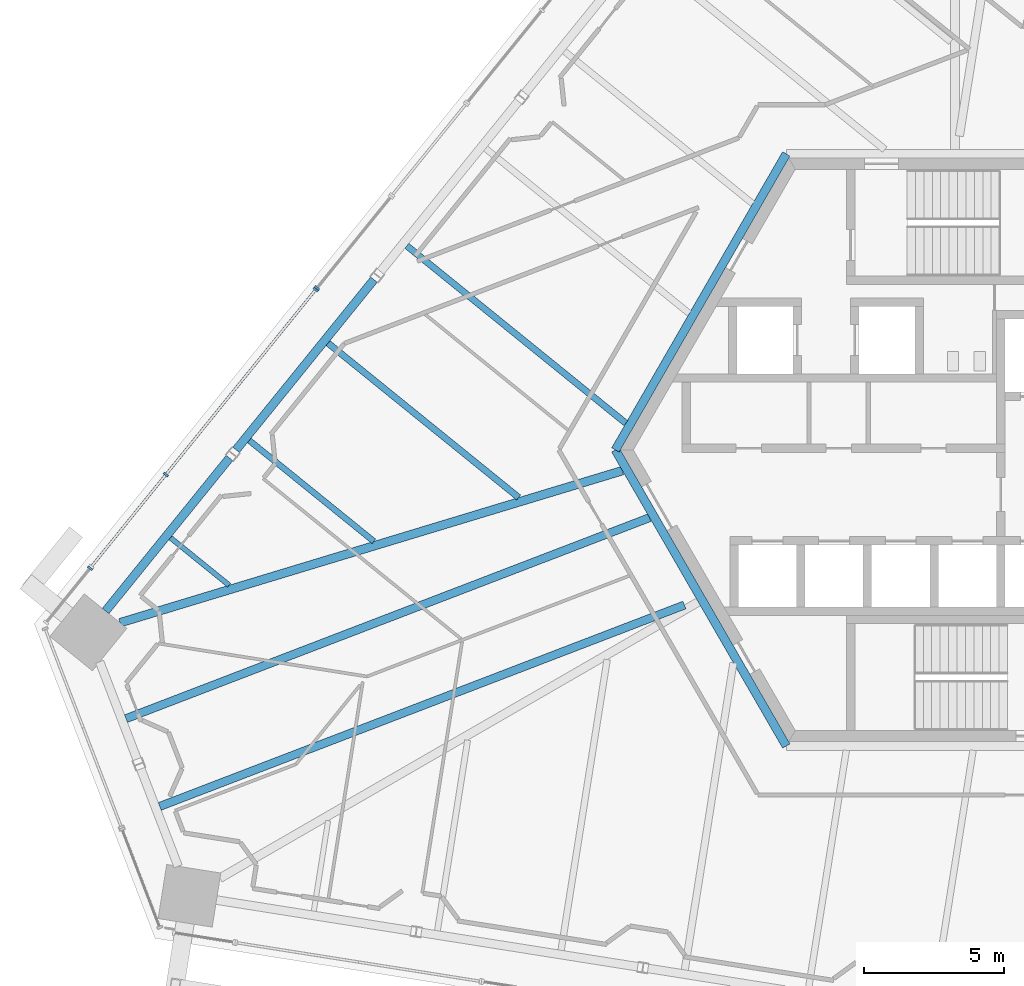
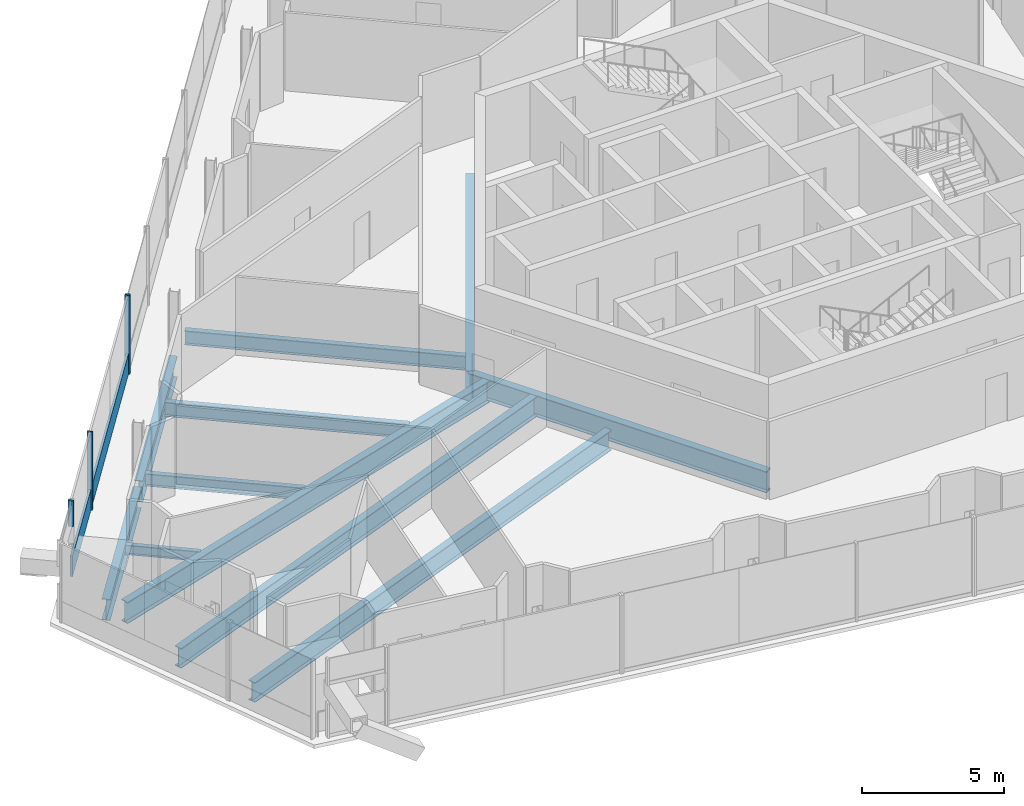
# One storey, part 5 of 23: 11 beams, 6 members, 3 elements without a shape of their own.
"""IFC4 building model written with IfcOpenShell, lengths in metres."""

from ifc_helpers import new_model, si_unit, direction, frame, origin, origin_2d, place, context, subcontext, project, spatial, rectangle, i_section, extrude, source, transform, mapped, material, material_profile, profile_set, type_object, element, aggregate, save


model = new_model("IFC4")

# Units and contexts
model_context = context("Model", 3, precision=1e-05, world=origin(), true_north=direction((0.0, 1.0)))
body_context = subcontext(model_context, "Body", "Model", "MODEL_VIEW")
ifc_project = project(units=[si_unit("LENGTHUNIT", "METRE"), si_unit("AREAUNIT", "SQUARE_METRE"), si_unit("VOLUMEUNIT", "CUBIC_METRE"), si_unit("PLANEANGLEUNIT", "RADIAN"), si_unit("MASSUNIT", "GRAM", prefix="KILO")], contexts=[model_context])

# Site, building, storey
site_placement = place(None, origin())
site = spatial("IfcSite", under=ifc_project, at=site_placement, CompositionType="ELEMENT")
building_placement = place(site_placement, origin())
building = spatial("IfcBuilding", under=site, at=building_placement, Name="Triune Harvest Tower", CompositionType="ELEMENT")
storey_placement = place(building_placement, frame((0.0, 0.0, 171.300048828125)))
storey = spatial("IfcBuildingStorey", under=building, at=storey_placement, Name="L44", CompositionType="ELEMENT", Elevation=171.300048828125)

# Beams
ifc_material_1 = material(Name="Steel ASTM A992 Gr 50", Category="steel")
ifc_material_profile_1 = material_profile(ifc_material_1, i_section(OverallWidth=0.3046875, OverallDepth=0.914306640625, WebThickness=0.0166015625, FlangeThickness=0.02587890625, at=origin_2d()), Name="W36x160")
ifc_profile_set_1 = profile_set([ifc_material_profile_1], Name="Steel ASTM A992 Gr 50")
beam_type_1 = type_object("IfcBeamType", Name="CG-1 Core ring girder W36x160", PredefinedType="BEAM", material=ifc_profile_set_1)
shared_shape_1 = source(origin(), body_context, "Body", "SweptSolid", [
    extrude(i_section(OverallWidth=0.3046875, OverallDepth=0.914306640625, WebThickness=0.0166015625, FlangeThickness=0.02587890625, at=origin_2d()), origin(), (0.0, 0.0, 1.0), 12.176025390625),
])
for number, where, z_axis, x_axis, name in (
    (1, (-6.087890625, 10.544677734375, -0.6171875), (-0.5000099932, -0.866019634131, 0.0), (0.866019634131, -0.5000099932, 0.0), "beam/L44/CG3"),
    (2, (-12.176025390625, 0.0, -0.6171875), (0.5000099932, -0.866019634131, 0.0), (0.866019634131, 0.5000099932, 0.0), "beam/L44/CG4"),
):
    element("IfcBeam", number, at=place(storey_placement, frame(where, z_axis=z_axis, x_axis=x_axis)), inside=storey, type_object=beam_type_1, Name=name, PredefinedType="BEAM", context=body_context, shape_type="MappedRepresentation", body=[
        mapped(shared_shape_1, transform((0.0, 0.0, 0.0), scale=1.0)),
    ])
ifc_material_2 = material(Name="Steel ASTM A992 Gr 50", Category="steel")
ifc_material_profile_2 = material_profile(ifc_material_2, i_section(OverallWidth=0.3046875, OverallDepth=0.914306640625, WebThickness=0.0166015625, FlangeThickness=0.02587890625, at=origin_2d()), Name="W36x160")
ifc_profile_set_2 = profile_set([ifc_material_profile_2], Name="Steel ASTM A992 Gr 50")
beam_type_2 = type_object("IfcBeamType", Name="SB-1 Spandrel beam W36x160", PredefinedType="SPANDREL", material=ifc_profile_set_2)
shared_shape_2 = source(origin(), body_context, "Body", "SweptSolid", [
    extrude(i_section(OverallWidth=0.3046875, OverallDepth=0.914306640625, WebThickness=0.0166015625, FlangeThickness=0.02587890625, at=origin_2d()), origin(), (0.0, 0.0, 1.0), 7.013427734375),
])
beam_1_placement = place(storey_placement, frame((-25.920166015625, -0.2890625, -0.6171875), z_axis=(-0.629311381255, -0.777153257358, 0.0), x_axis=(0.777153257358, -0.629311381255, 0.0)))
element("IfcBeam", 3, at=beam_1_placement, inside=storey, type_object=beam_type_2, Name="beam/L44/SB14", PredefinedType="SPANDREL", context=body_context, shape_type="MappedRepresentation", body=[
    mapped(shared_shape_2, transform((0.0, 0.0, 0.0), scale=1.0)),
])
shared_shape_3 = source(origin(), body_context, "Body", "SweptSolid", [
    extrude(i_section(OverallWidth=0.3046875, OverallDepth=0.914306640625, WebThickness=0.0166015625, FlangeThickness=0.02587890625, at=origin_2d()), origin(), (0.0, 0.0, 1.0), 7.8017578125),
])
beam_2_placement = place(storey_placement, frame((-20.775390625, 6.064208984375, -0.6171875), z_axis=(-0.629335951387, -0.777133360686, 0.0), x_axis=(0.777133360686, -0.629335951387, 0.0)))
element("IfcBeam", 4, at=beam_2_placement, inside=storey, type_object=beam_type_2, Name="beam/L44/SB13", PredefinedType="SPANDREL", context=body_context, shape_type="MappedRepresentation", body=[
    mapped(shared_shape_3, transform((0.0, 0.0, 0.0), scale=1.0)),
])
ifc_material_3 = material(Name="Steel ASTM A992 Gr 50", Category="steel")
ifc_material_profile_3 = material_profile(ifc_material_3, i_section(OverallWidth=0.307373046875, OverallDepth=0.922119140625, WebThickness=0.018310546875, FlangeThickness=0.030029296875, at=origin_2d()), Name="W36x182")
ifc_profile_set_3 = profile_set([ifc_material_profile_3], Name="Steel ASTM A992 Gr 50")
beam_type_3 = type_object("IfcBeamType", Name="HG-2 Hip girder W36x182", PredefinedType="BEAM", material=ifc_profile_set_3)
shared_shape_4 = source(origin(), body_context, "Body", "SweptSolid", [
    extrude(i_section(OverallWidth=0.307373046875, OverallDepth=0.922119140625, WebThickness=0.018310546875, FlangeThickness=0.030029296875, at=origin_2d()), origin(), (0.0, 0.0, 1.0), 18.69580078125),
])
beam_3_placement = place(storey_placement, frame((-29.819580078125, -6.15576171875, -0.62109375), z_axis=(0.957096860763, 0.289768181686, 0.0), x_axis=(-0.289768181686, 0.957096860763, 0.0)))
element("IfcBeam", 5, at=beam_3_placement, inside=storey, type_object=beam_type_3, Name="beam/L44/HG5", PredefinedType="BEAM", context=body_context, shape_type="MappedRepresentation", body=[
    mapped(shared_shape_4, transform((0.0, 0.0, 0.0), scale=1.0)),
])
ifc_material_4 = material(Name="Steel ASTM A992 Gr 50", Category="steel")
ifc_material_profile_4 = material_profile(ifc_material_4, i_section(OverallWidth=0.22900390625, OverallDepth=0.612060546875, WebThickness=0.011962890625, FlangeThickness=0.01953125, at=origin_2d()), Name="W24x84")
ifc_profile_set_4 = profile_set([ifc_material_profile_4], Name="Steel ASTM A992 Gr 50")
beam_type_4 = type_object("IfcBeamType", Name="JT-3 Floor joist W24x84", PredefinedType="JOIST", material=ifc_profile_set_4)
shared_shape_5 = source(origin(), body_context, "Body", "SweptSolid", [
    extrude(i_section(OverallWidth=0.22900390625, OverallDepth=0.612060546875, WebThickness=0.011962890625, FlangeThickness=0.01953125, at=origin_2d()), origin(), (0.0, 0.0, 1.0), 8.738037109375),
])
beam_4_placement = place(storey_placement, frame((-22.410400390625, 3.802978515625, -0.466064453125), z_axis=(0.777147913906, -0.629317979968, 0.0), x_axis=(0.629317979968, 0.777147913906, 0.0)))
element("IfcBeam", 6, at=beam_4_placement, inside=storey, type_object=beam_type_4, Name="beam/L44/JT20", PredefinedType="JOIST", context=body_context, shape_type="MappedRepresentation", body=[
    mapped(shared_shape_5, transform((0.0, 0.0, 0.0), scale=1.0)),
])
ifc_material_5 = material(Name="Steel ASTM A992 Gr 50", Category="steel")
ifc_material_profile_5 = material_profile(ifc_material_5, i_section(OverallWidth=0.180908203125, OverallDepth=0.41650390625, WebThickness=0.010986328125, FlangeThickness=0.01806640625, at=origin_2d()), Name="W16x57")
ifc_profile_set_5 = profile_set([ifc_material_profile_5], Name="Steel ASTM A992 Gr 50")
beam_type_5 = type_object("IfcBeamType", Name="JT-1 Floor joist W16x57", PredefinedType="JOIST", material=ifc_profile_set_5)
shared_shape_6 = source(origin(), body_context, "Body", "SweptSolid", [
    extrude(i_section(OverallWidth=0.180908203125, OverallDepth=0.41650390625, WebThickness=0.010986328125, FlangeThickness=0.01806640625, at=origin_2d()), origin(), (0.0, 0.0, 1.0), 2.687255859375),
])
beam_5_placement = place(storey_placement, frame((-28.022705078125, -3.127685546875, -0.368408203125), z_axis=(0.777141190223, -0.629326282987, 0.0), x_axis=(0.629326282987, 0.777141190223, 0.0)))
element("IfcBeam", 7, at=beam_5_placement, inside=storey, type_object=beam_type_5, Name="beam/L44/JT22", PredefinedType="JOIST", context=body_context, shape_type="MappedRepresentation", body=[
    mapped(shared_shape_6, transform((0.0, 0.0, 0.0), scale=1.0)),
])
ifc_material_6 = material(Name="Steel ASTM A992 Gr 50", Category="steel")
ifc_material_profile_6 = material_profile(ifc_material_6, i_section(OverallWidth=0.2919921875, OverallDepth=0.8583984375, WebThickness=0.01708984375, FlangeThickness=0.031005859375, at=origin_2d()), Name="W33x169")
ifc_profile_set_6 = profile_set([ifc_material_profile_6], Name="Steel ASTM A992 Gr 50")
beam_type_6 = type_object("IfcBeamType", Name="JT-7 Floor joist W33x169", PredefinedType="JOIST", material=ifc_profile_set_6)
shared_shape_7 = source(origin(), body_context, "Body", "SweptSolid", [
    extrude(i_section(OverallWidth=0.2919921875, OverallDepth=0.8583984375, WebThickness=0.01708984375, FlangeThickness=0.031005859375, at=origin_2d()), origin(), (0.0, 0.0, 1.0), 19.97216796875),
])
beam_6_placement = place(storey_placement, frame((-29.6044921875, -9.570068359375, -0.58935546875), z_axis=(0.933578234713, 0.358373659287, 0.0), x_axis=(-0.358373659287, 0.933578234713, 0.0)))
element("IfcBeam", 8, at=beam_6_placement, inside=storey, type_object=beam_type_6, Name="beam/L44/JT23", PredefinedType="JOIST", context=body_context, shape_type="MappedRepresentation", body=[
    mapped(shared_shape_7, transform((0.0, 0.0, 0.0), scale=1.0)),
])
shared_shape_8 = source(origin(), body_context, "Body", "SweptSolid", [
    extrude(i_section(OverallWidth=0.22900390625, OverallDepth=0.612060546875, WebThickness=0.011962890625, FlangeThickness=0.01953125, at=origin_2d()), origin(), (0.0, 0.0, 1.0), 10.0380859375),
])
beam_7_placement = place(storey_placement, frame((-19.60400390625, 7.268310546875, -0.466064453125), z_axis=(0.777146308943, -0.629319961941, 0.0), x_axis=(0.629319961941, 0.777146308943, 0.0)))
element("IfcBeam", 9, at=beam_7_placement, inside=storey, type_object=beam_type_4, Name="beam/L44/JT19", PredefinedType="JOIST", context=body_context, shape_type="MappedRepresentation", body=[
    mapped(shared_shape_8, transform((0.0, 0.0, 0.0), scale=1.0)),
])
ifc_material_7 = material(Name="Steel ASTM A992 Gr 50", Category="steel")
ifc_material_profile_7 = material_profile(ifc_material_7, i_section(OverallWidth=0.2099609375, OverallDepth=0.535888671875, WebThickness=0.010986328125, FlangeThickness=0.017333984375, at=origin_2d()), Name="W21x68")
ifc_profile_set_7 = profile_set([ifc_material_profile_7], Name="Steel ASTM A992 Gr 50")
beam_type_7 = type_object("IfcBeamType", Name="JT-2 Floor joist W21x68", PredefinedType="JOIST", material=ifc_profile_set_7)
shared_shape_9 = source(origin(), body_context, "Body", "SweptSolid", [
    extrude(i_section(OverallWidth=0.2099609375, OverallDepth=0.535888671875, WebThickness=0.010986328125, FlangeThickness=0.017333984375, at=origin_2d()), origin(), (0.0, 0.0, 1.0), 5.71240234375),
])
beam_8_placement = place(storey_placement, frame((-25.216552734375, 0.337646484375, -0.427978515625), z_axis=(0.777148320449, -0.629317477926, 0.0), x_axis=(0.629317477926, 0.777148320449, 0.0)))
element("IfcBeam", 10, at=beam_8_placement, inside=storey, type_object=beam_type_7, Name="beam/L44/JT21", PredefinedType="JOIST", context=body_context, shape_type="MappedRepresentation", body=[
    mapped(shared_shape_9, transform((0.0, 0.0, 0.0), scale=1.0)),
])
shared_shape_10 = source(origin(), body_context, "Body", "SweptSolid", [
    extrude(i_section(OverallWidth=0.2919921875, OverallDepth=0.8583984375, WebThickness=0.01708984375, FlangeThickness=0.031005859375, at=origin_2d()), origin(), (0.0, 0.0, 1.0), 20.01611328125),
])
beam_9_placement = place(storey_placement, frame((-28.404052734375, -12.697509765625, -0.58935546875), z_axis=(0.933581802132, 0.358364365875, 0.0), x_axis=(-0.358364365875, 0.933581802132, 0.0)))
element("IfcBeam", 11, at=beam_9_placement, inside=storey, type_object=beam_type_6, Name="beam/L44/JT24", PredefinedType="JOIST", context=body_context, shape_type="MappedRepresentation", body=[
    mapped(shared_shape_10, transform((0.0, 0.0, 0.0), scale=1.0)),
])

# Curtain wall, member
ifc_material_8 = material(Name="Aluminium bronze anodised", Category="aluminium")
curtain_wall_type_1 = type_object("IfcCurtainWallType", Name="CW-1 Tower stick curtain wall", PredefinedType="NOTDEFINED", material=ifc_material_8)
curtain_wall_1_placement = place(storey_placement, origin())
curtain_wall_1 = element("IfcCurtainWall", 12, at=curtain_wall_1_placement, inside=storey, type_object=curtain_wall_type_1, Name="CW-1 B4-F3 L44 run 401")
ifc_material_9 = material(Name="Aluminium bronze anodised", Category="aluminium")
ifc_material_profile_8 = material_profile(ifc_material_9, rectangle(XDim=0.199951171875, YDim=0.074951171875, at=origin_2d()), Name="MU-1 mullion 75 x 200")
ifc_profile_set_8 = profile_set([ifc_material_profile_8], Name="Aluminium bronze anodised")
member_type_1 = type_object("IfcMemberType", Name="MU-1 mullion 75 x 200", PredefinedType="MULLION", material=ifc_profile_set_8)
shared_shape_11 = source(origin(), body_context, "Body", "SweptSolid", [
    extrude(rectangle(XDim=0.199951171875, YDim=0.074951171875, at=origin_2d()), origin(), (0.0, 0.0, 1.0), 1.114990234375),
])
member_1_placement = place(storey_placement, frame((-30.88720703125, -4.216064453125, 2.260009765625), z_axis=(0.0, 0.0, 1.0), x_axis=(0.777142972549, -0.629324082026, 0.0)))
member_1 = element("IfcMember", 13, at=member_1_placement, type_object=member_type_1, Name="CW-1 mullion B4-F3 401.1", PredefinedType="MULLION", context=body_context, shape_type="MappedRepresentation", body=[
    mapped(shared_shape_11, transform((0.0, 0.0, 0.0), scale=1.0)),
])
aggregate(curtain_wall_1, [member_1])

curtain_wall_2_placement = place(storey_placement, origin())
curtain_wall_2 = element("IfcCurtainWall", 14, at=curtain_wall_2_placement, inside=storey, type_object=curtain_wall_type_1, Name="CW-1 B4-F3 L44 run 3201")
shared_shape_12 = source(origin(), body_context, "Body", "SweptSolid", [
    extrude(rectangle(XDim=0.199951171875, YDim=0.074951171875, at=origin_2d()), origin(), (0.0, 0.0, 1.0), 3.375),
])
member_2_placement = place(storey_placement, frame((-22.8046875, 5.76513671875, 0.0), z_axis=(0.0, 0.0, 1.0), x_axis=(0.77713925847, -0.629328668459, 0.0)))
member_2 = element("IfcMember", 15, at=member_2_placement, type_object=member_type_1, Name="CW-1 mullion B4-F3 3201.2", PredefinedType="MULLION", context=body_context, shape_type="MappedRepresentation", body=[
    mapped(shared_shape_12, transform((0.0, 0.0, 0.0), scale=1.0)),
])
aggregate(curtain_wall_2, [member_2])

# Curtain wall, members
ifc_material_10 = material(Name="Aluminium bronze anodised", Category="aluminium")
curtain_wall_type_2 = type_object("IfcCurtainWallType", Name="CW-7 Tower stick curtain wall with insulated spandrel infill", PredefinedType="NOTDEFINED", material=ifc_material_10)
curtain_wall_3_placement = place(storey_placement, origin())
curtain_wall_3 = element("IfcCurtainWall", 16, at=curtain_wall_3_placement, inside=storey, type_object=curtain_wall_type_2, Name="CW-7 B4-F3 L44 run 4201")
member_3_placement = place(storey_placement, frame((-22.85205078125, 5.706787109375, 0.0), z_axis=(0.0, 0.0, 1.0), x_axis=(0.777146919225, -0.629319208303, 0.0)))
member_3 = element("IfcMember", 17, at=member_3_placement, type_object=member_type_1, Name="CW-7 mullion B4-F3 4201.1", PredefinedType="MULLION", context=body_context, shape_type="MappedRepresentation", body=[
    mapped(shared_shape_12, transform((0.0, 0.0, 0.0), scale=1.0)),
])
member_4_placement = place(storey_placement, frame((-28.185302734375, -0.87939453125, 0.0), z_axis=(0.0, 0.0, 1.0), x_axis=(0.777146919225, -0.629319208303, 0.0)))
member_4 = element("IfcMember", 18, at=member_4_placement, type_object=member_type_1, Name="CW-7 mullion B4-F3 4201.3", PredefinedType="MULLION", context=body_context, shape_type="MappedRepresentation", body=[
    mapped(shared_shape_12, transform((0.0, 0.0, 0.0), scale=1.0)),
])
ifc_material_11 = material(Name="Aluminium bronze anodised", Category="aluminium")
ifc_material_profile_9 = material_profile(ifc_material_11, rectangle(XDim=0.090087890625, YDim=0.89990234375, at=origin_2d()), Name="TR-1 transom 90 x 900")
ifc_profile_set_9 = profile_set([ifc_material_profile_9], Name="Aluminium bronze anodised")
member_type_2 = type_object("IfcMemberType", Name="TR-1 transom 90 x 900", PredefinedType="USERDEFINED", material=ifc_profile_set_9)
shared_shape_13 = source(origin(), body_context, "Body", "SweptSolid", [
    extrude(rectangle(XDim=0.090087890625, YDim=0.89990234375, at=origin_2d()), origin(), (0.0, 0.0, 1.0), 8.399658203125),
])
member_5_placement = place(storey_placement, frame((-22.87548828125, 5.677734375, 0.449951171875), z_axis=(-0.629320294861, -0.777146039349, 0.0), x_axis=(0.777146039349, -0.629320294861, 0.0)))
member_5 = element("IfcMember", 19, at=member_5_placement, type_object=member_type_2, Name="CW-7 transom B4-F3 4201.1", ObjectType="TRANSOM", PredefinedType="USERDEFINED", context=body_context, shape_type="MappedRepresentation", body=[
    mapped(shared_shape_13, transform((0.0, 0.0, 0.0), scale=1.0)),
])
shared_shape_14 = source(origin(), body_context, "Body", "SweptSolid", [
    extrude(rectangle(XDim=0.090087890625, YDim=0.89990234375, at=origin_2d()), origin(), (0.0, 0.0, 1.0), 4.1435546875),
])
member_6_placement = place(storey_placement, frame((-28.208984375, -0.908447265625, 0.449951171875), z_axis=(-0.629282975213, -0.777176258713, 0.0), x_axis=(0.777176258713, -0.629282975213, 0.0)))
member_6 = element("IfcMember", 20, at=member_6_placement, type_object=member_type_2, Name="CW-7 transom B4-F3 4201.2", ObjectType="TRANSOM", PredefinedType="USERDEFINED", context=body_context, shape_type="MappedRepresentation", body=[
    mapped(shared_shape_14, transform((0.0, 0.0, 0.0), scale=1.0)),
])
aggregate(curtain_wall_3, [member_3, member_4, member_5, member_6])

save(model, "model.ifc")
